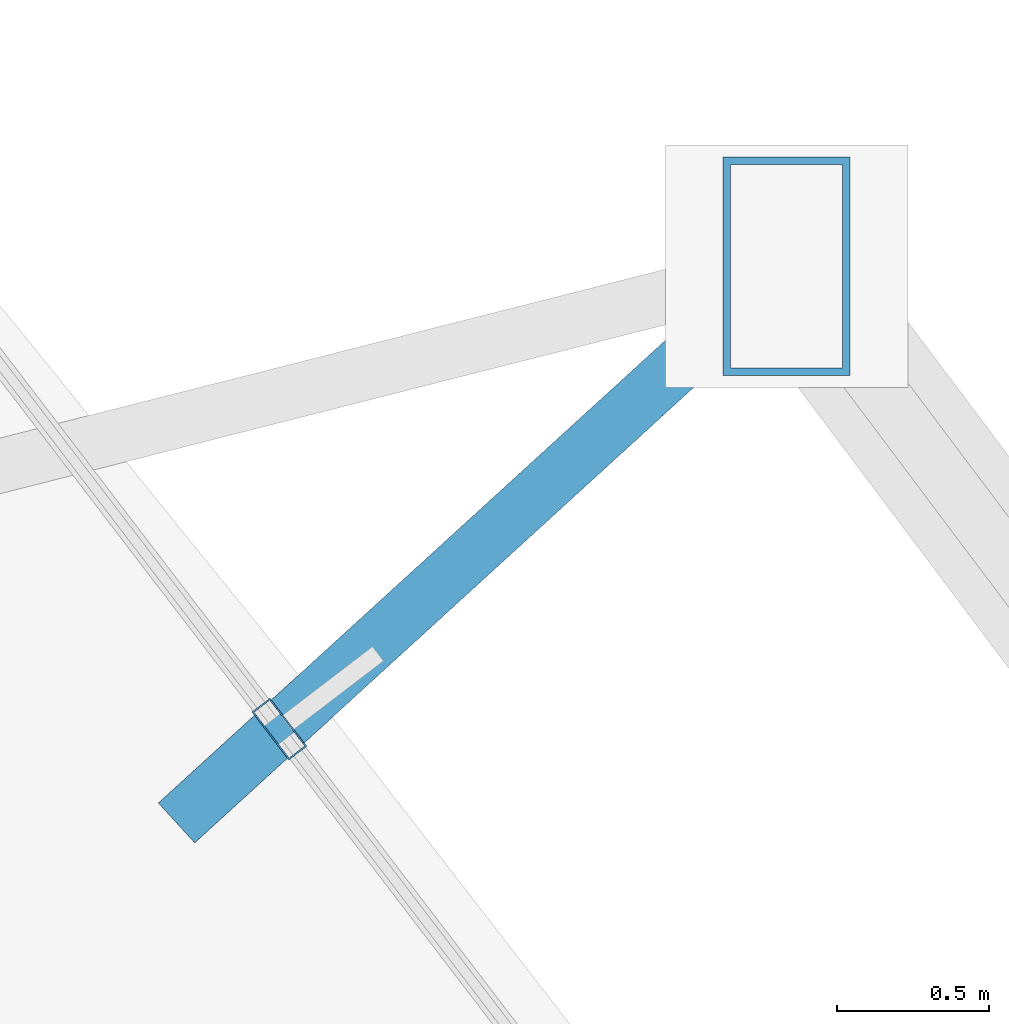
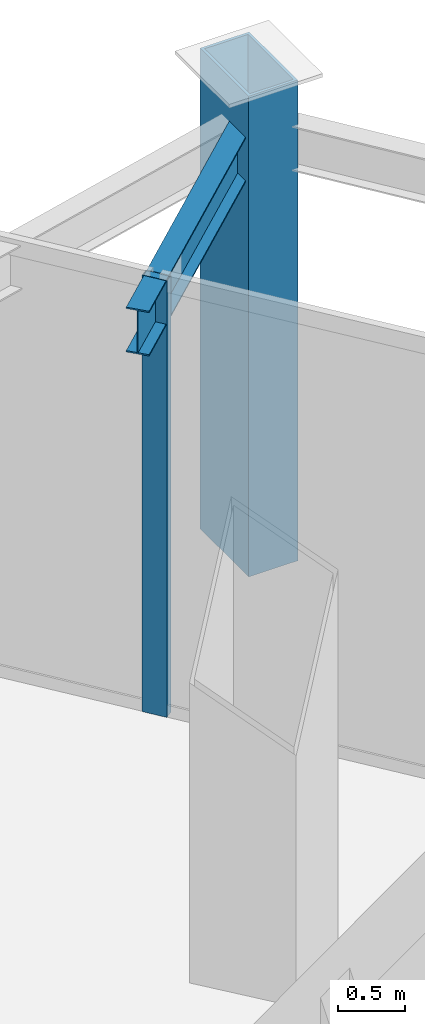
# One storey, part 26 of 33: 2 members, 1 beam, 1 element without a shape of its own.
"""IFC4 building model written with IfcOpenShell, lengths in metres."""

from ifc_helpers import new_model, si_unit, direction, frame, origin, origin_2d, place, context, subcontext, project, spatial, hollow_rectangle, i_section, extrude, material, layer, layer_set, material_profile, profile_set, type_object, element, aggregate, save


model = new_model("IFC4")

# Units and contexts
model_context = context("Model", 3, precision=1e-05, world=origin(), true_north=direction((0.0, 1.0)))
body_context = subcontext(model_context, "Body", "Model", "MODEL_VIEW")
ifc_project = project(units=[si_unit("LENGTHUNIT", "METRE"), si_unit("AREAUNIT", "SQUARE_METRE"), si_unit("VOLUMEUNIT", "CUBIC_METRE"), si_unit("PLANEANGLEUNIT", "RADIAN"), si_unit("MASSUNIT", "GRAM", prefix="KILO")], contexts=[model_context])

# Site, building, storey
site_placement = place(None, origin())
site = spatial("IfcSite", under=ifc_project, at=site_placement, CompositionType="ELEMENT")
building_placement = place(site_placement, origin())
building = spatial("IfcBuilding", under=site, at=building_placement, Name="Orvanel Arch Residences", CompositionType="ELEMENT")
storey_placement = place(building_placement, frame((0.0, 0.0, 97.25)))
storey = spatial("IfcBuildingStorey", under=building, at=storey_placement, Name="L27", CompositionType="ELEMENT", Elevation=97.25)

# Member
ifc_material_1 = material(Name="Structural steel AS/NZS 3678 Grade 350", Category="steel")
ifc_material_profile_1 = material_profile(ifc_material_1, hollow_rectangle(XDim=0.419921875, YDim=0.719970703125, WallThickness=0.02490234375, at=origin_2d()), Name="RHS720x420x25")
ifc_profile_set_1 = profile_set([ifc_material_profile_1], Name="Structural steel AS/NZS 3678 Grade 350")
member_type_1 = type_object("IfcMemberType", Name="CH-720RHS-EXT", PredefinedType="CHORD", material=ifc_profile_set_1)
member_1_placement = place(storey_placement, frame((40.56591796875, 45.927978515625, 0.0), z_axis=(0.0, 0.0, 1.0), x_axis=(1.0, 0.0, 0.0)))
element("IfcMember", 1, at=member_1_placement, inside=storey, type_object=member_type_1, Name="L27 Outer Perimeter Frame Post 12", PredefinedType="CHORD", context=body_context, shape_type="SweptSolid", body=[
    extrude(hollow_rectangle(XDim=0.419921875, YDim=0.719970703125, WallThickness=0.02490234375, at=origin_2d()), origin(), (0.0, 0.0, 1.0), 4.35009765625),
])

# Curtain wall, member
ifc_material_2 = material(Name="Bronze-anodised aluminium AA6063-T6", Category="aluminium")
ifc_layer = layer(ifc_material_2, 0.195068359375)
ifc_layer_set = layer_set([ifc_layer], Name="Bronze-anodised aluminium AA6063-T6")
curtain_wall_type = type_object("IfcCurtainWallType", Name="CW6-COM-SYS", PredefinedType="NOTDEFINED", material=ifc_layer_set)
curtain_wall_placement = place(storey_placement, origin())
curtain_wall = element("IfcCurtainWall", 2, at=curtain_wall_placement, inside=storey, type_object=curtain_wall_type, Name="L27 CW6-COM-SYS Unitised Curtain Wall", PredefinedType="NOTDEFINED")
ifc_material_profile_2 = material_profile(ifc_material_2, hollow_rectangle(XDim=0.074951171875, YDim=0.199951171875, WallThickness=0.0048828125, at=origin_2d()), Name="ALU200x75x5")
ifc_profile_set_2 = profile_set([ifc_material_profile_2], Name="Bronze-anodised aluminium AA6063-T6")
member_type_2 = type_object("IfcMemberType", Name="MUL-200x75", PredefinedType="MULLION", material=ifc_profile_set_2)
member_2_placement = place(storey_placement, frame((38.892333984375, 44.400634765625, 0.0), z_axis=(0.0, 0.0, 1.0), x_axis=(-0.794313486349, -0.607508094929, 0.0)))
member_2 = element("IfcMember", 3, at=member_2_placement, type_object=member_type_2, Name="CW-S6 mullion 3", PredefinedType="MULLION", context=body_context, shape_type="SweptSolid", body=[
    extrude(hollow_rectangle(XDim=0.074951171875, YDim=0.199951171875, WallThickness=0.0048828125, at=origin_2d()), origin(), (0.0, 0.0, 1.0), 3.949951171875),
])
aggregate(curtain_wall, [member_2])

# Beam
ifc_material_3 = material(Name="Structural steel AS/NZS 3679.1 Grade 300 (300 MPa)", Category="steel")
ifc_material_profile_3 = material_profile(ifc_material_3, i_section(OverallWidth=0.177978515625, OverallDepth=0.406005859375, WebThickness=0.0078125, FlangeThickness=0.0126953125, at=origin_2d()), Name="410UB59.7")
ifc_profile_set_3 = profile_set([ifc_material_profile_3], Name="Structural steel AS/NZS 3679.1 Grade 300 (300 MPa)")
beam_type = type_object("IfcBeamType", Name="OB-410UB-EXT", PredefinedType="SPANDREL", material=ifc_profile_set_3)
beam_placement = place(storey_placement, frame((38.552978515625, 44.091064453125, 3.7470703125), z_axis=(0.738665847289, 0.67407178108, 0.0), x_axis=(-0.67407178108, 0.738665847289, 0.0)))
element("IfcBeam", 4, at=beam_placement, inside=storey, type_object=beam_type, Name="L27 Outer Frame Radial Tie Beam 12", PredefinedType="SPANDREL", context=body_context, shape_type="SweptSolid", body=[
    extrude(i_section(OverallWidth=0.177978515625, OverallDepth=0.406005859375, WebThickness=0.0078125, FlangeThickness=0.0126953125, at=origin_2d()), origin(), (0.0, 0.0, 1.0), 2.72509765625),
])

save(model, "model.ifc")
